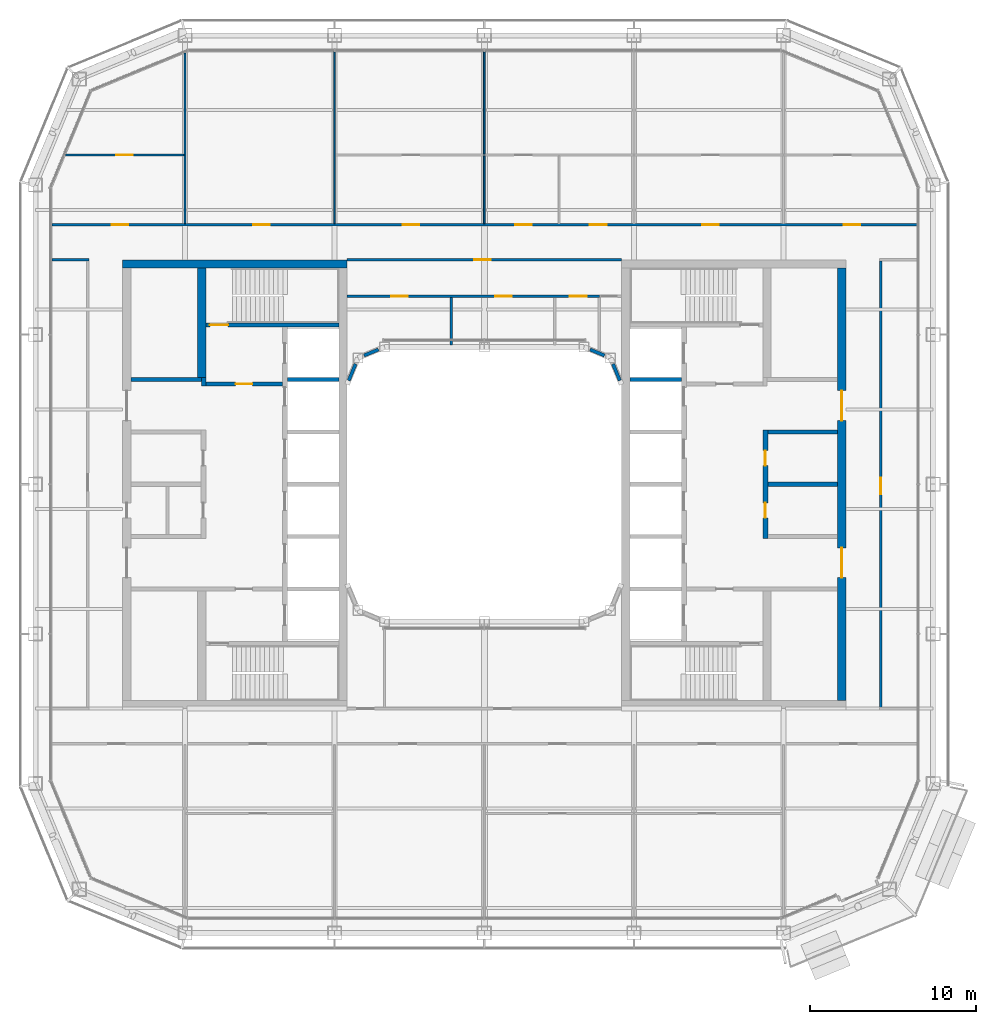
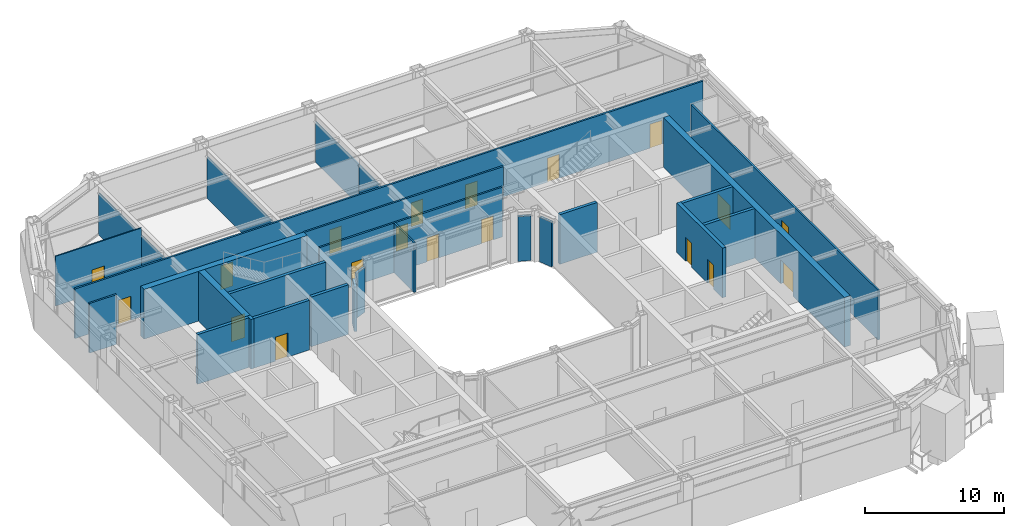
# One storey, part 14 of 22: 27 walls, 19 doors, 19 openings.
"""IFC4 building model written with IfcOpenShell, lengths in metres."""

import ifcopenshell
import ifcopenshell.guid

model = None  # the IFC model being written
_history = None  # IfcOwnerHistory: only IFC2X3 demands one
_inside = {}  # id of a spatial element -> (the spatial element, [elements in it])
_under = {}  # id of a project, library or spatial element -> (it, [spatial elements below it])
_declared = {}  # id of a project -> (the project, [libraries it declares])
_typed = {}  # id of a type object -> (the type object, [elements of that type])
_made_of = {}  # id of a material, layer set ... -> (it, [elements and type objects made of it])


def new_model(schema):
    """Start an empty IFC model of exactly this schema.

    Asked for "IFC4X3", IfcOpenShell would pick the latest addendum, in which some entities
    have other attributes; the version numbers below select the first issue.
    IFC2X3 requires an IfcOwnerHistory on every rooted entity: one is made here for all.
    """
    global model, _history
    if schema == "IFC4X3":
        model = ifcopenshell.file(schema_version=(4, 3, 0, 0))
    else:
        model = ifcopenshell.file(schema=schema)
    _inside.clear()
    _under.clear()
    _declared.clear()
    _typed.clear()
    _made_of.clear()
    _history = None
    if model.schema == "IFC2X3":
        org = make("IfcOrganization", Name="unknown")
        user = make(
            "IfcPersonAndOrganization",
            ThePerson=make("IfcPerson", FamilyName="unknown"),
            TheOrganization=org,
        )
        app = make(
            "IfcApplication",
            ApplicationDeveloper=org,
            Version="unknown",
            ApplicationFullName="unknown",
            ApplicationIdentifier="unknown",
        )
        _history = make(
            "IfcOwnerHistory",
            OwningUser=user,
            OwningApplication=app,
            ChangeAction="ADDED",
            CreationDate=0,
        )
    return model


def make(cls, **values):
    """One entity of the class cls with the attributes given. An attribute that is None is left unset."""
    return model.create_entity(
        cls, **{name: value for name, value in values.items() if value is not None}
    )


def rooted(cls, **values):
    """An entity with a GlobalId (a new one), such as an element, a storey or a relation."""
    return make(cls, GlobalId=ifcopenshell.guid.new(), OwnerHistory=_history, **values)


def si_unit(unit_type, name, prefix=None):
    """IfcSIUnit, for example si_unit("LENGTHUNIT", "METRE", prefix="MILLI")."""
    return make("IfcSIUnit", UnitType=unit_type, Prefix=prefix, Name=name)


def assignment(units):
    """IfcUnitAssignment: the units of a project."""
    return None if units is None else make("IfcUnitAssignment", Units=units)


def point(xyz):
    """IfcCartesianPoint."""
    return None if xyz is None else make("IfcCartesianPoint", Coordinates=xyz)


def direction(xyz):
    """IfcDirection."""
    return None if xyz is None else make("IfcDirection", DirectionRatios=xyz)


def frame(location, z_axis=None, x_axis=None):
    """IfcAxis2Placement3D, a coordinate frame: its origin and axes. An axis left out is left unset."""
    return make(
        "IfcAxis2Placement3D",
        Location=point(location),
        Axis=direction(z_axis),
        RefDirection=direction(x_axis),
    )


def frame_2d(location, x_axis=None):
    """IfcAxis2Placement2D, a coordinate frame in the plane: its origin and x axis."""
    return make(
        "IfcAxis2Placement2D", Location=point(location), RefDirection=direction(x_axis)
    )


def origin():
    """The frame at (0, 0, 0) with its axes left unset."""
    return frame((0.0, 0.0, 0.0))


def place(relative_to, where):
    """IfcLocalPlacement: puts the frame where relative to a parent placement (None: the world)."""
    return make(
        "IfcLocalPlacement", PlacementRelTo=relative_to, RelativePlacement=where
    )


def context(
    kind, dimensions, precision=None, world=None, true_north=None, identifier=None
):
    """IfcGeometricRepresentationContext, for example the 3D "Model" context."""
    return make(
        "IfcGeometricRepresentationContext",
        ContextIdentifier=identifier,
        ContextType=kind,
        CoordinateSpaceDimension=dimensions,
        Precision=precision,
        WorldCoordinateSystem=world,
        TrueNorth=true_north,
    )


def subcontext(parent, identifier, kind, view, scale=None):
    """IfcGeometricRepresentationSubContext, for example "Body" below "Model"."""
    return make(
        "IfcGeometricRepresentationSubContext",
        ContextIdentifier=identifier,
        ContextType=kind,
        ParentContext=parent,
        TargetScale=scale,
        TargetView=view,
    )


def project(units=None, contexts=None):
    """IfcProject with its units and contexts."""
    return rooted(
        "IfcProject",
        Name="project",
        RepresentationContexts=contexts,
        UnitsInContext=assignment(units),
    )


def spatial(cls, under=None, at=None, **own):
    """A site, building, storey or space (cls), placed at a placement, below another one or the project."""
    s = rooted(cls, ObjectPlacement=at, **own)
    if under is not None:
        _under.setdefault(under.id(), (under, []))[1].append(s)
    return s


def profile(cls, at=None, kind="AREA", **sizes):
    """A parametric profile (cls). Its sizes go by their IFC names, for example OverallWidth=200.0."""
    return make(cls, ProfileType=kind, Position=at, **sizes)


def rectangle(**sizes):
    """IfcRectangleProfileDef."""
    return profile("IfcRectangleProfileDef", **sizes)


def extrude(swept, where, along, depth):
    """IfcExtrudedAreaSolid: the profile swept, set in the frame where, extruded along a direction by depth."""
    return make(
        "IfcExtrudedAreaSolid",
        SweptArea=swept,
        Position=where,
        ExtrudedDirection=direction(along),
        Depth=depth,
    )


def shape(context_of_items, identifier, shape_type, items):
    """IfcShapeRepresentation: the items that make up one representation, for example the "Body"."""
    return make(
        "IfcShapeRepresentation",
        ContextOfItems=context_of_items,
        RepresentationIdentifier=identifier,
        RepresentationType=shape_type,
        Items=items,
    )


def material(Name=None, Category=None):
    """IfcMaterial."""
    return make("IfcMaterial", Name=Name, Category=Category)


def layer(
    of_material, thickness, ventilated=None, Name=None, Category=None, Priority=None
):
    """IfcMaterialLayer: one layer of a wall or slab, of a material (None: an air gap)."""
    return make(
        "IfcMaterialLayer",
        Material=of_material,
        LayerThickness=thickness,
        IsVentilated=ventilated,
        Name=Name,
        Category=Category,
        Priority=Priority,
    )


def layer_set(layers, Name=None):
    """IfcMaterialLayerSet."""
    return make("IfcMaterialLayerSet", MaterialLayers=layers, LayerSetName=Name)


def made_of(thing, what):
    """Note that an element or type object is made of a material, layer set ...; save() writes the relation."""
    if what is not None:
        _made_of.setdefault(what.id(), (what, []))[1].append(thing)
    return thing


def type_object(cls, material=None, **own):
    """A type object (cls), such as IfcWallType, which elements share."""
    return made_of(rooted(cls, **own), material)


def element(
    cls,
    number,
    at=None,
    inside=None,
    cuts=None,
    type_object=None,
    material=None,
    context=None,
    identifier="Body",
    shape_type=None,
    held_by="IfcProductDefinitionShape",
    body=None,
    shapes=None,
    **own,
):
    """One element of the class cls, such as IfcWall. Its Tag is "e" and its number.

    at: its placement. inside: the storey or other place that contains it. cuts: it is an
    opening in that element (IfcRelVoidsElement). A single representation is given by context,
    identifier, shape_type and body (its items); several are given by shapes. held_by: the class
    of the entity that holds the representations. save() writes the other relations.
    """
    e = rooted(cls, Tag="e%d" % number, ObjectPlacement=at, **own)
    if body is not None:
        shapes = [shape(context, identifier, shape_type, body)]
    if shapes is not None:
        e.Representation = make(held_by, Representations=shapes)
    if inside is not None:
        _inside.setdefault(inside.id(), (inside, []))[1].append(e)
    if cuts is not None:
        rooted(
            "IfcRelVoidsElement", RelatingBuildingElement=cuts, RelatedOpeningElement=e
        )
    if type_object is not None:
        _typed.setdefault(type_object.id(), (type_object, []))[1].append(e)
    return made_of(e, material)


def fill(opening, filler):
    """IfcRelFillsElement: the door or window that sits in an opening."""
    return rooted(
        "IfcRelFillsElement",
        RelatingOpeningElement=opening,
        RelatedBuildingElement=filler,
    )


def aggregate(whole, parts):
    """IfcRelAggregates: a whole, such as a stair, and the parts it consists of."""
    return rooted("IfcRelAggregates", RelatingObject=whole, RelatedObjects=parts)


def save(model, path):
    """Write the relations noted so far, then the file.

    IfcRelAggregates (storeys below a building ...), IfcRelContainedInSpatialStructure (elements
    in a storey), IfcRelDefinesByType, IfcRelAssociatesMaterial and IfcRelDeclares: one each for
    every whole, place, type object, material and project.
    """
    for whole, parts in _under.values():
        aggregate(whole, parts)
    for where, things in _inside.values():
        rooted(
            "IfcRelContainedInSpatialStructure",
            RelatedElements=things,
            RelatingStructure=where,
        )
    for kind, things in _typed.values():
        rooted("IfcRelDefinesByType", RelatedObjects=things, RelatingType=kind)
    for what, things in _made_of.values():
        rooted("IfcRelAssociatesMaterial", RelatedObjects=things, RelatingMaterial=what)
    for by, libraries in _declared.values():
        rooted("IfcRelDeclares", RelatingContext=by, RelatedDefinitions=libraries)
    model.write(path)


model = new_model("IFC4")

# Units and contexts
model_context = context("Model", 3, precision=1e-05, world=origin(), true_north=direction((0.0, 1.0)))
body_context = subcontext(model_context, "Body", "Model", "MODEL_VIEW")
ifc_project = project(units=[si_unit("LENGTHUNIT", "METRE"), si_unit("AREAUNIT", "SQUARE_METRE"), si_unit("VOLUMEUNIT", "CUBIC_METRE"), si_unit("PLANEANGLEUNIT", "RADIAN"), si_unit("MASSUNIT", "GRAM", prefix="KILO")], contexts=[model_context])

# Site, building, storey
site_placement = place(None, origin())
site = spatial("IfcSite", under=ifc_project, at=site_placement, CompositionType="ELEMENT")
building_placement = place(site_placement, origin())
building = spatial("IfcBuilding", under=site, at=building_placement, Name="Siwar Civic Tower", CompositionType="ELEMENT")
storey_placement = place(building_placement, frame((0.0, 0.0, 201.699951171875)))
storey = spatial("IfcBuildingStorey", under=building, at=storey_placement, Name="L43", CompositionType="ELEMENT", Elevation=201.699951171875)

# Wall, opening, door
ifc_material_1 = material(Name="Concrete C60/75", Category="concrete")
ifc_layer_1 = layer(ifc_material_1, 0.25)
ifc_layer_set_1 = layer_set([ifc_layer_1], Name="Concrete C60/75")
wall_type_1 = type_object("IfcWallType", Name="CORE-WALL-RC250", PredefinedType="SHEAR", material=ifc_layer_set_1)
wall_1_placement = place(storey_placement, frame((-12.14990234375, 6.02490234375, 0.0), z_axis=(0.0, 0.0, 1.0), x_axis=(-1.0, 0.0, 0.0)))
wall_1 = element("IfcWall", 1, at=wall_1_placement, inside=storey, type_object=wall_type_1, Name="Core wall W", PredefinedType="SHEAR", context=body_context, shape_type="SweptSolid", body=[
    extrude(rectangle(XDim=4.60009765625, YDim=0.25, at=frame_2d((2.300048828125, 0.0))), origin(), (0.0, 0.0, 1.0), 4.35009765625),
])
opening_1_placement = place(wall_1_placement, frame((1.800048828125, 0.0, 0.0)))
opening_1 = element("IfcOpeningElement", 2, at=opening_1_placement, cuts=wall_1, Name="Opening L43-CW01", PredefinedType="OPENING", context=body_context, shape_type="SweptSolid", body=[
    extrude(rectangle(XDim=1.0, YDim=2.10009765625, at=frame_2d((0.5, 1.050048828125))), frame((0.0, 0.135009765625, 0.0), z_axis=(0.0, -1.0, 0.0), x_axis=(1.0, 0.0, 0.0)), (0.0, 0.0, 1.0), 0.27001953125),
])
ifc_material_2 = material(Name="Steel door leaf", Category="steel")
door_type_1 = type_object("IfcDoorType", Name="CORE-DOOR-FD30S", OperationType="SINGLE_SWING_LEFT", PredefinedType="DOOR", material=ifc_material_2)
door_1_placement = place(opening_1_placement, origin())
door_1 = element("IfcDoor", 3, at=door_1_placement, inside=storey, type_object=door_type_1, Name="Firefighting lobby door L43-CW01", OperationType="SINGLE_SWING_LEFT", OverallHeight=2.10009765625, OverallWidth=1.0, PredefinedType="DOOR", context=body_context, shape_type="SweptSolid", body=[
    extrude(rectangle(XDim=1.0, YDim=2.10009765625, at=frame_2d((0.5, 1.050048828125))), frame((0.0, 0.02490234375, 0.0), z_axis=(0.0, -1.0, 0.0), x_axis=(1.0, 0.0, 0.0)), (0.0, 0.0, 1.0), 0.050048828125),
])
fill(opening_1, door_1)

# Walls
wall_2_placement = place(storey_placement, frame((-16.875, 5.89990234375, 0.0), z_axis=(0.0, 0.0, 1.0), x_axis=(0.0, 1.0, 0.0)))
element("IfcWall", 4, at=wall_2_placement, inside=storey, type_object=wall_type_1, Name="Core wall W", PredefinedType="SHEAR", context=body_context, shape_type="SweptSolid", body=[
    extrude(rectangle(XDim=0.525146484375, YDim=0.25, at=frame_2d((0.2626953125, 0.0))), origin(), (0.0, 0.0, 1.0), 4.35009765625),
])
wall_3_placement = place(storey_placement, frame((-17.0, 6.300048828125, 0.0), z_axis=(0.0, 0.0, 1.0), x_axis=(-1.0, 0.0, 0.0)))
element("IfcWall", 5, at=wall_3_placement, inside=storey, type_object=wall_type_1, Name="Core wall W", PredefinedType="SHEAR", context=body_context, shape_type="SweptSolid", body=[
    extrude(rectangle(XDim=4.25, YDim=0.25, at=frame_2d((2.125, 0.0))), origin(), (0.0, 0.0, 1.0), 4.35009765625),
])
wall_4_placement = place(storey_placement, frame((-8.75, 6.300048828125, 0.0), z_axis=(0.0, 0.0, 1.0), x_axis=(-1.0, 0.0, 0.0)))
element("IfcWall", 6, at=wall_4_placement, inside=storey, type_object=wall_type_1, Name="Core wall W", PredefinedType="SHEAR", context=body_context, shape_type="SweptSolid", body=[
    extrude(rectangle(XDim=3.10009765625, YDim=0.25, at=frame_2d((1.550048828125, 0.0))), origin(), (0.0, 0.0, 1.0), 4.35009765625),
])

# Wall, opening, door
wall_5_placement = place(storey_placement, frame((-8.75, 9.574951171875, 0.0), z_axis=(0.0, 0.0, 1.0), x_axis=(-1.0, 0.0, 0.0)))
wall_5 = element("IfcWall", 7, at=wall_5_placement, inside=storey, type_object=wall_type_1, Name="Core wall W", PredefinedType="SHEAR", context=body_context, shape_type="SweptSolid", body=[
    extrude(rectangle(XDim=8.0, YDim=0.25, at=frame_2d((4.0, 0.0))), origin(), (0.0, 0.0, 1.0), 4.35009765625),
])
opening_2_placement = place(wall_5_placement, frame((6.64990234375, 0.0, 0.0)))
opening_2 = element("IfcOpeningElement", 8, at=opening_2_placement, cuts=wall_5, Name="Opening L43-CW03", PredefinedType="OPENING", context=body_context, shape_type="SweptSolid", body=[
    extrude(rectangle(XDim=1.10009765625, YDim=2.10009765625, at=frame_2d((0.550048828125, 1.050048828125))), frame((0.0, 0.135009765625, 0.0), z_axis=(0.0, -1.0, 0.0), x_axis=(1.0, 0.0, 0.0)), (0.0, 0.0, 1.0), 0.27001953125),
])
ifc_material_3 = material(Name="Steel door leaf", Category="steel")
door_type_2 = type_object("IfcDoorType", Name="CORE-DOOR-FD60S", OperationType="SINGLE_SWING_LEFT", PredefinedType="DOOR", material=ifc_material_3)
door_2_placement = place(opening_2_placement, origin())
door_2 = element("IfcDoor", 9, at=door_2_placement, inside=storey, type_object=door_type_2, Name="Stair door L43-CW03", OperationType="SINGLE_SWING_RIGHT", OverallHeight=2.10009765625, OverallWidth=1.10009765625, PredefinedType="DOOR", context=body_context, shape_type="SweptSolid", body=[
    extrude(rectangle(XDim=1.10009765625, YDim=2.10009765625, at=frame_2d((0.550048828125, 1.050048828125))), frame((0.0, 0.02490234375, 0.0), z_axis=(0.0, -1.0, 0.0), x_axis=(1.0, 0.0, 0.0)), (0.0, 0.0, 1.0), 0.050048828125),
])
fill(opening_2, door_2)

# Walls
for number, where, z_axis, x_axis, name in (
    (10, (17.050048828125, 0.0, 0.0), (0.0, 0.0, 1.0), (1.0, 0.0, 0.0), "Core wall E"),
    (11, (17.050048828125, 3.14990234375, 0.0), (0.0, 0.0, 1.0), (1.0, 0.0, 0.0), "Core wall E"),
):
    element("IfcWall", number, at=place(storey_placement, frame(where, z_axis=z_axis, x_axis=x_axis)), inside=storey, type_object=wall_type_1, Name=name, PredefinedType="SHEAR", context=body_context, shape_type="SweptSolid", body=[
        extrude(rectangle(XDim=4.199951171875, YDim=0.25, at=frame_2d((2.10009765625, 0.0))), origin(), (0.0, 0.0, 1.0), 4.35009765625),
    ])
wall_6_placement = place(storey_placement, frame((8.75, 6.300048828125, 0.0), z_axis=(0.0, 0.0, 1.0), x_axis=(1.0, 0.0, 0.0)))
element("IfcWall", 12, at=wall_6_placement, inside=storey, type_object=wall_type_1, Name="Core wall E", PredefinedType="SHEAR", context=body_context, shape_type="SweptSolid", body=[
    extrude(rectangle(XDim=3.10009765625, YDim=0.25, at=frame_2d((1.550048828125, 0.0))), origin(), (0.0, 0.0, 1.0), 4.35009765625),
])

# Wall, openings, doors
ifc_material_4 = material(Name="Concrete C60/75", Category="concrete")
ifc_layer_2 = layer(ifc_material_4, 0.300048828125)
ifc_layer_set_2 = layer_set([ifc_layer_2], Name="Concrete C60/75")
wall_type_2 = type_object("IfcWallType", Name="CORE-WALL-RC300", PredefinedType="SHEAR", material=ifc_layer_set_2)
wall_7_placement = place(storey_placement, frame((16.89990234375, -3.27490234375, 0.0), z_axis=(0.0, 0.0, 1.0), x_axis=(0.0, 1.0, 0.0)))
wall_7 = element("IfcWall", 13, at=wall_7_placement, inside=storey, type_object=wall_type_2, Name="Core wall E", PredefinedType="SHEAR", context=body_context, shape_type="SweptSolid", body=[
    extrude(rectangle(XDim=6.5498046875, YDim=0.300048828125, at=frame_2d((3.27490234375, 0.0))), origin(), (0.0, 0.0, 1.0), 4.35009765625),
])
opening_3_placement = place(wall_7_placement, frame((1.25, 0.0, 0.0)))
opening_3 = element("IfcOpeningElement", 14, at=opening_3_placement, cuts=wall_7, Name="Opening L43-CE13", PredefinedType="OPENING", context=body_context, shape_type="SweptSolid", body=[
    extrude(rectangle(XDim=0.89990234375, YDim=2.10009765625, at=frame_2d((0.449951171875, 1.050048828125))), frame((0.0, 0.16015625, 0.0), z_axis=(0.0, -1.0, 0.0), x_axis=(1.0, 0.0, 0.0)), (0.0, 0.0, 1.0), 0.320068359375),
])
opening_4_placement = place(wall_7_placement, frame((4.39990234375, 0.0, 0.0)))
opening_4 = element("IfcOpeningElement", 15, at=opening_4_placement, cuts=wall_7, Name="Opening L43-CE14", PredefinedType="OPENING", context=body_context, shape_type="SweptSolid", body=[
    extrude(rectangle(XDim=0.89990234375, YDim=2.10009765625, at=frame_2d((0.449951171875, 1.050048828125))), frame((0.0, 0.16015625, 0.0), z_axis=(0.0, -1.0, 0.0), x_axis=(1.0, 0.0, 0.0)), (0.0, 0.0, 1.0), 0.320068359375),
])
ifc_material_5 = material(Name="Steel door leaf", Category="steel")
door_type_3 = type_object("IfcDoorType", Name="CORE-DOOR-ROOM", OperationType="SINGLE_SWING_LEFT", PredefinedType="DOOR", material=ifc_material_5)
door_3_placement = place(opening_3_placement, origin())
door_3 = element("IfcDoor", 16, at=door_3_placement, inside=storey, type_object=door_type_3, Name="Core room door L43-CE13", OperationType="SINGLE_SWING_RIGHT", OverallHeight=2.10009765625, OverallWidth=0.89990234375, PredefinedType="DOOR", context=body_context, shape_type="SweptSolid", body=[
    extrude(rectangle(XDim=0.89990234375, YDim=2.10009765625, at=frame_2d((0.449951171875, 1.050048828125))), frame((0.0, 0.02490234375, 0.0), z_axis=(0.0, -1.0, 0.0), x_axis=(1.0, 0.0, 0.0)), (0.0, 0.0, 1.0), 0.050048828125),
])
fill(opening_3, door_3)
door_4_placement = place(opening_4_placement, origin())
door_4 = element("IfcDoor", 17, at=door_4_placement, inside=storey, type_object=door_type_3, Name="Core room door L43-CE14", OperationType="SINGLE_SWING_LEFT", OverallHeight=2.10009765625, OverallWidth=0.89990234375, PredefinedType="DOOR", context=body_context, shape_type="SweptSolid", body=[
    extrude(rectangle(XDim=0.89990234375, YDim=2.10009765625, at=frame_2d((0.449951171875, 1.050048828125))), frame((0.0, 0.02490234375, 0.0), z_axis=(0.0, -1.0, 0.0), x_axis=(1.0, 0.0, 0.0)), (0.0, 0.0, 1.0), 0.050048828125),
])
fill(opening_4, door_4)

# Walls
ifc_material_6 = material(Name="Concrete C60/75", Category="concrete")
ifc_layer_3 = layer(ifc_material_6, 0.5)
ifc_layer_set_3 = layer_set([ifc_layer_3], Name="Concrete C60/75")
wall_type_3 = type_object("IfcWallType", Name="CORE-WALL-RC500", PredefinedType="SHEAR", material=ifc_layer_set_3)
wall_8_placement = place(storey_placement, frame((-17.0, 6.425048828125, 0.0), z_axis=(0.0, 0.0, 1.0), x_axis=(0.0, 1.0, 0.0)))
element("IfcWall", 18, at=wall_8_placement, inside=storey, type_object=wall_type_3, Name="Core wall W", PredefinedType="SHEAR", context=body_context, shape_type="SweptSolid", body=[
    extrude(rectangle(XDim=6.574951171875, YDim=0.5, at=frame_2d((3.28759765625, 0.0))), origin(), (0.0, 0.0, 1.0), 4.35009765625),
])
wall_9_placement = place(storey_placement, frame((-8.25, 13.25, 0.0), z_axis=(0.0, 0.0, 1.0), x_axis=(-1.0, 0.0, 0.0)))
element("IfcWall", 19, at=wall_9_placement, inside=storey, type_object=wall_type_3, Name="Core wall W", PredefinedType="SHEAR", context=body_context, shape_type="SweptSolid", body=[
    extrude(rectangle(XDim=13.5, YDim=0.5, at=frame_2d((6.75, 0.0))), origin(), (0.0, 0.0, 1.0), 4.35009765625),
])

# Wall, openings, doors
wall_10_placement = place(storey_placement, frame((21.5, -13.0, 0.0), z_axis=(0.0, 0.0, 1.0), x_axis=(0.0, 1.0, 0.0)))
wall_10 = element("IfcWall", 20, at=wall_10_placement, inside=storey, type_object=wall_type_3, Name="Core wall E", PredefinedType="SHEAR", context=body_context, shape_type="SweptSolid", body=[
    extrude(rectangle(XDim=26.0, YDim=0.5, at=frame_2d((13.0, 0.0))), origin(), (0.0, 0.0, 1.0), 4.35009765625),
])
opening_5_placement = place(wall_10_placement, frame((16.824951171875, 0.0, 0.0)))
opening_5 = element("IfcOpeningElement", 21, at=opening_5_placement, cuts=wall_10, Name="Opening L43-CE05", PredefinedType="OPENING", context=body_context, shape_type="SweptSolid", body=[
    extrude(rectangle(XDim=1.800048828125, YDim=2.10009765625, at=frame_2d((0.89990234375, 1.050048828125))), frame((0.0, 0.260009765625, 0.0), z_axis=(0.0, -1.0, 0.0), x_axis=(1.0, 0.0, 0.0)), (0.0, 0.0, 1.0), 0.52001953125),
])
opening_6_placement = place(wall_10_placement, frame((7.375, 0.0, 0.0)))
opening_6 = element("IfcOpeningElement", 22, at=opening_6_placement, cuts=wall_10, Name="Opening L43-CE06", PredefinedType="OPENING", context=body_context, shape_type="SweptSolid", body=[
    extrude(rectangle(XDim=1.800048828125, YDim=2.10009765625, at=frame_2d((0.89990234375, 1.050048828125))), frame((0.0, 0.260009765625, 0.0), z_axis=(0.0, -1.0, 0.0), x_axis=(1.0, 0.0, 0.0)), (0.0, 0.0, 1.0), 0.52001953125),
])
ifc_material_7 = material(Name="Steel door leaf", Category="steel")
door_type_4 = type_object("IfcDoorType", Name="CORE-DOOR-PORT", OperationType="DOUBLE_DOOR_DOUBLE_SWING", PredefinedType="DOOR", material=ifc_material_7)
door_5_placement = place(opening_5_placement, origin())
door_5 = element("IfcDoor", 23, at=door_5_placement, inside=storey, type_object=door_type_4, Name="Core entrance door L43-CE05", OperationType="DOUBLE_DOOR_DOUBLE_SWING", OverallHeight=2.10009765625, OverallWidth=1.800048828125, PredefinedType="DOOR", context=body_context, shape_type="SweptSolid", body=[
    extrude(rectangle(XDim=1.800048828125, YDim=2.10009765625, at=frame_2d((0.89990234375, 1.050048828125))), frame((0.0, 0.02490234375, 0.0), z_axis=(0.0, -1.0, 0.0), x_axis=(1.0, 0.0, 0.0)), (0.0, 0.0, 1.0), 0.050048828125),
])
fill(opening_5, door_5)
door_6_placement = place(opening_6_placement, origin())
door_6 = element("IfcDoor", 24, at=door_6_placement, inside=storey, type_object=door_type_4, Name="Core entrance door L43-CE06", OperationType="DOUBLE_DOOR_DOUBLE_SWING", OverallHeight=2.10009765625, OverallWidth=1.800048828125, PredefinedType="DOOR", context=body_context, shape_type="SweptSolid", body=[
    extrude(rectangle(XDim=1.800048828125, YDim=2.10009765625, at=frame_2d((0.89990234375, 1.050048828125))), frame((0.0, 0.02490234375, 0.0), z_axis=(0.0, -1.0, 0.0), x_axis=(1.0, 0.0, 0.0)), (0.0, 0.0, 1.0), 0.050048828125),
])
fill(opening_6, door_6)

ifc_material_8 = material(Name="Gypsum board on steel studs", Category="steel")
ifc_layer_4 = layer(ifc_material_8, 0.14990234375)
ifc_layer_set_4 = layer_set([ifc_layer_4], Name="Gypsum board on steel studs")
wall_type_4 = type_object("IfcWallType", Name="CORRIDOR PARTITION 150 EI 30", PredefinedType="PARTITIONING", material=ifc_layer_set_4)
wall_11_placement = place(storey_placement, frame((-8.25, 11.300048828125, 0.0), z_axis=(0.0, 0.0, 1.0), x_axis=(1.0, 0.0, 0.0)))
wall_11 = element("IfcWall", 25, at=wall_11_placement, inside=storey, type_object=wall_type_4, Name="L43/wall/P07", PredefinedType="PARTITIONING", context=body_context, shape_type="SweptSolid", body=[
    extrude(rectangle(XDim=15.169921875, YDim=0.14990234375, at=frame_2d((7.5849609375, 0.0))), origin(), (0.0, 0.0, 1.0), 4.35009765625),
])
opening_7_placement = place(wall_11_placement, frame((2.64990234375, 0.0, 0.0)))
opening_7 = element("IfcOpeningElement", 26, at=opening_7_placement, cuts=wall_11, Name="Opening D3", PredefinedType="OPENING", context=body_context, shape_type="SweptSolid", body=[
    extrude(rectangle(XDim=1.0, YDim=2.10009765625, at=frame_2d((0.5, 1.050048828125))), frame((0.0, 0.0849609375, 0.0), z_axis=(0.0, -1.0, 0.0), x_axis=(1.0, 0.0, 0.0)), (0.0, 0.0, 1.0), 0.169921875),
])
opening_8_placement = place(wall_11_placement, frame((8.89990234375, 0.0, 0.0)))
opening_8 = element("IfcOpeningElement", 27, at=opening_8_placement, cuts=wall_11, Name="Opening D3", PredefinedType="OPENING", context=body_context, shape_type="SweptSolid", body=[
    extrude(rectangle(XDim=1.0, YDim=2.10009765625, at=frame_2d((0.5, 1.050048828125))), frame((0.0, 0.0849609375, 0.0), z_axis=(0.0, -1.0, 0.0), x_axis=(1.0, 0.0, 0.0)), (0.0, 0.0, 1.0), 0.169921875),
])
opening_9_placement = place(wall_11_placement, frame((13.39990234375, 0.0, 0.0)))
opening_9 = element("IfcOpeningElement", 28, at=opening_9_placement, cuts=wall_11, Name="Opening D3", PredefinedType="OPENING", context=body_context, shape_type="SweptSolid", body=[
    extrude(rectangle(XDim=1.0, YDim=2.10009765625, at=frame_2d((0.5, 1.050048828125))), frame((0.0, 0.0849609375, 0.0), z_axis=(0.0, -1.0, 0.0), x_axis=(1.0, 0.0, 0.0)), (0.0, 0.0, 1.0), 0.169921875),
])
ifc_material_9 = material(Name="Timber, painted", Category="wood")
door_type_5 = type_object("IfcDoorType", Name="DOOR 1000 X 2100 WC", OperationType="SINGLE_SWING_LEFT", PredefinedType="DOOR", material=ifc_material_9)
door_7_placement = place(opening_7_placement, origin())
door_7 = element("IfcDoor", 29, at=door_7_placement, inside=storey, type_object=door_type_5, Name="L43-D25", OperationType="SINGLE_SWING_LEFT", OverallHeight=2.10009765625, OverallWidth=1.0, PredefinedType="DOOR", context=body_context, shape_type="SweptSolid", body=[
    extrude(rectangle(XDim=1.0, YDim=2.10009765625, at=frame_2d((0.5, 1.050048828125))), frame((0.0, 0.02490234375, 0.0), z_axis=(0.0, -1.0, 0.0), x_axis=(1.0, 0.0, 0.0)), (0.0, 0.0, 1.0), 0.050048828125),
])
fill(opening_7, door_7)
door_8_placement = place(opening_8_placement, origin())
door_8 = element("IfcDoor", 30, at=door_8_placement, inside=storey, type_object=door_type_5, Name="L43-D26", OperationType="SINGLE_SWING_RIGHT", OverallHeight=2.10009765625, OverallWidth=1.0, PredefinedType="DOOR", context=body_context, shape_type="SweptSolid", body=[
    extrude(rectangle(XDim=1.0, YDim=2.10009765625, at=frame_2d((0.5, 1.050048828125))), frame((0.0, 0.02490234375, 0.0), z_axis=(0.0, -1.0, 0.0), x_axis=(1.0, 0.0, 0.0)), (0.0, 0.0, 1.0), 0.050048828125),
])
fill(opening_8, door_8)
door_9_placement = place(opening_9_placement, origin())
door_9 = element("IfcDoor", 31, at=door_9_placement, inside=storey, type_object=door_type_5, Name="L43-D27", OperationType="SINGLE_SWING_LEFT", OverallHeight=2.10009765625, OverallWidth=1.0, PredefinedType="DOOR", context=body_context, shape_type="SweptSolid", body=[
    extrude(rectangle(XDim=1.0, YDim=2.10009765625, at=frame_2d((0.5, 1.050048828125))), frame((0.0, 0.02490234375, 0.0), z_axis=(0.0, -1.0, 0.0), x_axis=(1.0, 0.0, 0.0)), (0.0, 0.0, 1.0), 0.050048828125),
])
fill(opening_9, door_9)

# Wall
wall_12_placement = place(storey_placement, frame((-26.010009765625, 13.5, 0.0), z_axis=(0.0, 0.0, 1.0), x_axis=(1.0, 0.0, 0.0)))
element("IfcWall", 32, at=wall_12_placement, inside=storey, type_object=wall_type_4, Name="L43/wall/P09", PredefinedType="PARTITIONING", context=body_context, shape_type="SweptSolid", body=[
    extrude(rectangle(XDim=2.235107421875, YDim=0.14990234375, at=frame_2d((1.11767578125, 0.0))), origin(), (0.0, 0.0, 1.0), 4.35009765625),
])

# Wall, opening, door
wall_13_placement = place(storey_placement, frame((-8.25, 13.5, 0.0), z_axis=(0.0, 0.0, 1.0), x_axis=(1.0, 0.0, 0.0)))
wall_13 = element("IfcWall", 33, at=wall_13_placement, inside=storey, type_object=wall_type_4, Name="L43/wall/P10", PredefinedType="PARTITIONING", context=body_context, shape_type="SweptSolid", body=[
    extrude(rectangle(XDim=16.5, YDim=0.14990234375, at=frame_2d((8.25, 0.0))), origin(), (0.0, 0.0, 1.0), 4.35009765625),
])
opening_10_placement = place(wall_13_placement, frame((7.64990234375, 0.0, 0.0)))
opening_10 = element("IfcOpeningElement", 34, at=opening_10_placement, cuts=wall_13, Name="Opening D1", PredefinedType="OPENING", context=body_context, shape_type="SweptSolid", body=[
    extrude(rectangle(XDim=1.0, YDim=2.10009765625, at=frame_2d((0.5, 1.050048828125))), frame((0.0, 0.0849609375, 0.0), z_axis=(0.0, -1.0, 0.0), x_axis=(1.0, 0.0, 0.0)), (0.0, 0.0, 1.0), 0.169921875),
])
ifc_material_10 = material(Name="Timber, painted", Category="wood")
door_type_6 = type_object("IfcDoorType", Name="DOOR 1000 X 2100 FD30", OperationType="SINGLE_SWING_LEFT", PredefinedType="DOOR", material=ifc_material_10)
door_10_placement = place(opening_10_placement, origin())
door_10 = element("IfcDoor", 35, at=door_10_placement, inside=storey, type_object=door_type_6, Name="L43-D24", OperationType="SINGLE_SWING_RIGHT", OverallHeight=2.10009765625, OverallWidth=1.0, PredefinedType="DOOR", context=body_context, shape_type="SweptSolid", body=[
    extrude(rectangle(XDim=1.0, YDim=2.10009765625, at=frame_2d((0.5, 1.050048828125))), frame((0.0, 0.02490234375, 0.0), z_axis=(0.0, -1.0, 0.0), x_axis=(1.0, 0.0, 0.0)), (0.0, 0.0, 1.0), 0.050048828125),
])
fill(opening_10, door_10)

# Wall, openings, doors
wall_14_placement = place(storey_placement, frame((-26.010009765625, 15.60009765625, 0.0), z_axis=(0.0, 0.0, 1.0), x_axis=(1.0, 0.0, 0.0)))
wall_14 = element("IfcWall", 36, at=wall_14_placement, inside=storey, type_object=wall_type_4, Name="L43/wall/P12", PredefinedType="PARTITIONING", context=body_context, shape_type="SweptSolid", body=[
    extrude(rectangle(XDim=52.02001953125, YDim=0.14990234375, at=frame_2d((26.010009765625, 0.0))), origin(), (0.0, 0.0, 1.0), 4.35009765625),
])
opening_11_placement = place(wall_14_placement, frame((12.110107421875, 0.0, 0.0)))
opening_11 = element("IfcOpeningElement", 37, at=opening_11_placement, cuts=wall_14, Name="Opening D1", PredefinedType="OPENING", context=body_context, shape_type="SweptSolid", body=[
    extrude(rectangle(XDim=1.0, YDim=2.10009765625, at=frame_2d((0.5, 1.050048828125))), frame((0.0, 0.0849609375, 0.0), z_axis=(0.0, -1.0, 0.0), x_axis=(1.0, 0.0, 0.0)), (0.0, 0.0, 1.0), 0.169921875),
])
opening_12_placement = place(wall_14_placement, frame((21.110107421875, 0.0, 0.0)))
opening_12 = element("IfcOpeningElement", 38, at=opening_12_placement, cuts=wall_14, Name="Opening D1", PredefinedType="OPENING", context=body_context, shape_type="SweptSolid", body=[
    extrude(rectangle(XDim=1.0, YDim=2.10009765625, at=frame_2d((0.5, 1.050048828125))), frame((0.0, 0.0849609375, 0.0), z_axis=(0.0, -1.0, 0.0), x_axis=(1.0, 0.0, 0.0)), (0.0, 0.0, 1.0), 0.169921875),
])
opening_13_placement = place(wall_14_placement, frame((27.860107421875, 0.0, 0.0)))
opening_13 = element("IfcOpeningElement", 39, at=opening_13_placement, cuts=wall_14, Name="Opening D1", PredefinedType="OPENING", context=body_context, shape_type="SweptSolid", body=[
    extrude(rectangle(XDim=1.0, YDim=2.10009765625, at=frame_2d((0.5, 1.050048828125))), frame((0.0, 0.0849609375, 0.0), z_axis=(0.0, -1.0, 0.0), x_axis=(1.0, 0.0, 0.0)), (0.0, 0.0, 1.0), 0.169921875),
])
opening_14_placement = place(wall_14_placement, frame((32.360107421875, 0.0, 0.0)))
opening_14 = element("IfcOpeningElement", 40, at=opening_14_placement, cuts=wall_14, Name="Opening D1", PredefinedType="OPENING", context=body_context, shape_type="SweptSolid", body=[
    extrude(rectangle(XDim=1.0, YDim=2.10009765625, at=frame_2d((0.5, 1.050048828125))), frame((0.0, 0.0849609375, 0.0), z_axis=(0.0, -1.0, 0.0), x_axis=(1.0, 0.0, 0.0)), (0.0, 0.0, 1.0), 0.169921875),
])
opening_15_placement = place(wall_14_placement, frame((39.110107421875, 0.0, 0.0)))
opening_15 = element("IfcOpeningElement", 41, at=opening_15_placement, cuts=wall_14, Name="Opening D1", PredefinedType="OPENING", context=body_context, shape_type="SweptSolid", body=[
    extrude(rectangle(XDim=1.0, YDim=2.10009765625, at=frame_2d((0.5, 1.050048828125))), frame((0.0, 0.0849609375, 0.0), z_axis=(0.0, -1.0, 0.0), x_axis=(1.0, 0.0, 0.0)), (0.0, 0.0, 1.0), 0.169921875),
])
opening_16_placement = place(wall_14_placement, frame((3.610107421875, 0.0, 0.0)))
opening_16 = element("IfcOpeningElement", 42, at=opening_16_placement, cuts=wall_14, Name="Opening D1", PredefinedType="OPENING", context=body_context, shape_type="SweptSolid", body=[
    extrude(rectangle(XDim=1.0, YDim=2.10009765625, at=frame_2d((0.5, 1.050048828125))), frame((0.0, 0.0849609375, 0.0), z_axis=(0.0, -1.0, 0.0), x_axis=(1.0, 0.0, 0.0)), (0.0, 0.0, 1.0), 0.169921875),
])
opening_17_placement = place(wall_14_placement, frame((47.6201171875, 0.0, 0.0)))
opening_17 = element("IfcOpeningElement", 43, at=opening_17_placement, cuts=wall_14, Name="Opening D1", PredefinedType="OPENING", context=body_context, shape_type="SweptSolid", body=[
    extrude(rectangle(XDim=1.0, YDim=2.10009765625, at=frame_2d((0.5, 1.050048828125))), frame((0.0, 0.0849609375, 0.0), z_axis=(0.0, -1.0, 0.0), x_axis=(1.0, 0.0, 0.0)), (0.0, 0.0, 1.0), 0.169921875),
])
door_11_placement = place(opening_11_placement, origin())
door_11 = element("IfcDoor", 44, at=door_11_placement, inside=storey, type_object=door_type_6, Name="L43-D01", OperationType="SINGLE_SWING_LEFT", OverallHeight=2.10009765625, OverallWidth=1.0, PredefinedType="DOOR", context=body_context, shape_type="SweptSolid", body=[
    extrude(rectangle(XDim=1.0, YDim=2.10009765625, at=frame_2d((0.5, 1.050048828125))), frame((0.0, 0.02490234375, 0.0), z_axis=(0.0, -1.0, 0.0), x_axis=(1.0, 0.0, 0.0)), (0.0, 0.0, 1.0), 0.050048828125),
])
fill(opening_11, door_11)
door_12_placement = place(opening_12_placement, origin())
door_12 = element("IfcDoor", 45, at=door_12_placement, inside=storey, type_object=door_type_6, Name="L43-D02", OperationType="SINGLE_SWING_RIGHT", OverallHeight=2.10009765625, OverallWidth=1.0, PredefinedType="DOOR", context=body_context, shape_type="SweptSolid", body=[
    extrude(rectangle(XDim=1.0, YDim=2.10009765625, at=frame_2d((0.5, 1.050048828125))), frame((0.0, 0.02490234375, 0.0), z_axis=(0.0, -1.0, 0.0), x_axis=(1.0, 0.0, 0.0)), (0.0, 0.0, 1.0), 0.050048828125),
])
fill(opening_12, door_12)
door_13_placement = place(opening_13_placement, origin())
door_13 = element("IfcDoor", 46, at=door_13_placement, inside=storey, type_object=door_type_6, Name="L43-D04", OperationType="SINGLE_SWING_RIGHT", OverallHeight=2.10009765625, OverallWidth=1.0, PredefinedType="DOOR", context=body_context, shape_type="SweptSolid", body=[
    extrude(rectangle(XDim=1.0, YDim=2.10009765625, at=frame_2d((0.5, 1.050048828125))), frame((0.0, 0.02490234375, 0.0), z_axis=(0.0, -1.0, 0.0), x_axis=(1.0, 0.0, 0.0)), (0.0, 0.0, 1.0), 0.050048828125),
])
fill(opening_13, door_13)
door_14_placement = place(opening_14_placement, origin())
door_14 = element("IfcDoor", 47, at=door_14_placement, inside=storey, type_object=door_type_6, Name="L43-D05", OperationType="SINGLE_SWING_LEFT", OverallHeight=2.10009765625, OverallWidth=1.0, PredefinedType="DOOR", context=body_context, shape_type="SweptSolid", body=[
    extrude(rectangle(XDim=1.0, YDim=2.10009765625, at=frame_2d((0.5, 1.050048828125))), frame((0.0, 0.02490234375, 0.0), z_axis=(0.0, -1.0, 0.0), x_axis=(1.0, 0.0, 0.0)), (0.0, 0.0, 1.0), 0.050048828125),
])
fill(opening_14, door_14)
door_15_placement = place(opening_15_placement, origin())
door_15 = element("IfcDoor", 48, at=door_15_placement, inside=storey, type_object=door_type_6, Name="L43-D07", OperationType="SINGLE_SWING_LEFT", OverallHeight=2.10009765625, OverallWidth=1.0, PredefinedType="DOOR", context=body_context, shape_type="SweptSolid", body=[
    extrude(rectangle(XDim=1.0, YDim=2.10009765625, at=frame_2d((0.5, 1.050048828125))), frame((0.0, 0.02490234375, 0.0), z_axis=(0.0, -1.0, 0.0), x_axis=(1.0, 0.0, 0.0)), (0.0, 0.0, 1.0), 0.050048828125),
])
fill(opening_15, door_15)
door_16_placement = place(opening_16_placement, origin())
door_16 = element("IfcDoor", 49, at=door_16_placement, inside=storey, type_object=door_type_6, Name="L43-D16", OperationType="SINGLE_SWING_RIGHT", OverallHeight=2.10009765625, OverallWidth=1.0, PredefinedType="DOOR", context=body_context, shape_type="SweptSolid", body=[
    extrude(rectangle(XDim=1.0, YDim=2.10009765625, at=frame_2d((0.5, 1.050048828125))), frame((0.0, 0.02490234375, 0.0), z_axis=(0.0, -1.0, 0.0), x_axis=(1.0, 0.0, 0.0)), (0.0, 0.0, 1.0), 0.050048828125),
])
fill(opening_16, door_16)
door_17_placement = place(opening_17_placement, origin())
door_17 = element("IfcDoor", 50, at=door_17_placement, inside=storey, type_object=door_type_6, Name="L43-D18", OperationType="SINGLE_SWING_RIGHT", OverallHeight=2.10009765625, OverallWidth=1.0, PredefinedType="DOOR", context=body_context, shape_type="SweptSolid", body=[
    extrude(rectangle(XDim=1.0, YDim=2.10009765625, at=frame_2d((0.5, 1.050048828125))), frame((0.0, 0.02490234375, 0.0), z_axis=(0.0, -1.0, 0.0), x_axis=(1.0, 0.0, 0.0)), (0.0, 0.0, 1.0), 0.050048828125),
])
fill(opening_17, door_17)

# Wall
wall_15_placement = place(storey_placement, frame((-2.0, 8.3701171875, 0.0), z_axis=(0.0, 0.0, 1.0), x_axis=(0.0, 1.0, 0.0)))
element("IfcWall", 51, at=wall_15_placement, inside=storey, type_object=wall_type_4, Name="L43/wall/P21", PredefinedType="PARTITIONING", context=body_context, shape_type="SweptSolid", body=[
    extrude(rectangle(XDim=2.85498046875, YDim=0.14990234375, at=frame_2d((1.427490234375, 0.0))), origin(), (0.0, 0.0, 1.0), 4.35009765625),
])

# Wall, opening, door
wall_16_placement = place(storey_placement, frame((23.85009765625, -13.425048828125, 0.0), z_axis=(0.0, 0.0, 1.0), x_axis=(0.0, 1.0, 0.0)))
wall_16 = element("IfcWall", 52, at=wall_16_placement, inside=storey, type_object=wall_type_4, Name="L43/wall/P35", PredefinedType="PARTITIONING", context=body_context, shape_type="SweptSolid", body=[
    extrude(rectangle(XDim=26.85009765625, YDim=0.14990234375, at=frame_2d((13.425048828125, 0.0))), origin(), (0.0, 0.0, 1.0), 4.35009765625),
])
opening_18_placement = place(wall_16_placement, frame((12.824951171875, 0.0, 0.0)))
opening_18 = element("IfcOpeningElement", 53, at=opening_18_placement, cuts=wall_16, Name="Opening D1", PredefinedType="OPENING", context=body_context, shape_type="SweptSolid", body=[
    extrude(rectangle(XDim=1.0, YDim=2.10009765625, at=frame_2d((0.5, 1.050048828125))), frame((0.0, 0.0849609375, 0.0), z_axis=(0.0, -1.0, 0.0), x_axis=(1.0, 0.0, 0.0)), (0.0, 0.0, 1.0), 0.169921875),
])
door_18_placement = place(opening_18_placement, origin())
door_18 = element("IfcDoor", 54, at=door_18_placement, inside=storey, type_object=door_type_6, Name="L43-D23", OperationType="SINGLE_SWING_LEFT", OverallHeight=2.10009765625, OverallWidth=1.0, PredefinedType="DOOR", context=body_context, shape_type="SweptSolid", body=[
    extrude(rectangle(XDim=1.0, YDim=2.10009765625, at=frame_2d((0.5, 1.050048828125))), frame((0.0, 0.02490234375, 0.0), z_axis=(0.0, -1.0, 0.0), x_axis=(1.0, 0.0, 0.0)), (0.0, 0.0, 1.0), 0.050048828125),
])
fill(opening_18, door_18)

# Walls
ifc_material_11 = material(Name="Aluminium clad insulated panel", Category="aluminium")
ifc_layer_5 = layer(ifc_material_11, 0.199951171875)
ifc_layer_set_5 = layer_set([ifc_layer_5], Name="Aluminium clad insulated panel")
wall_type_5 = type_object("IfcWallType", Name="ENV-WALL-WELL", PredefinedType="STANDARD", material=ifc_layer_set_5)
wall_17_placement = place(storey_placement, frame((8.154296875, 6.23095703125, 0.0), z_axis=(0.0, 0.0, 1.0), x_axis=(-0.382704496366, 0.923870807235, 0.0)))
element("IfcWall", 55, at=wall_17_placement, inside=storey, type_object=wall_type_5, Name="Light well corner wall NE1", PredefinedType="STANDARD", context=body_context, shape_type="SweptSolid", body=[
    extrude(rectangle(XDim=1.080078125, YDim=0.199951171875, at=frame_2d((0.5400390625, 0.0))), origin(), (0.0, 0.0, 1.0), 3.91796875),
])
for number, where, z_axis, x_axis, name in (
    (56, (7.228759765625, 7.740966796875, 0.0), (0.0, 0.0, 1.0), (-0.923829670615, 0.382803787458, 0.0), "Light well corner wall NE2"),
    (57, (-6.362060546875, 8.10009765625, 0.0), (0.0, 0.0, 1.0), (-0.923829670615, -0.382803787458, 0.0), "Light well corner wall NW1"),
):
    element("IfcWall", number, at=place(storey_placement, frame(where, z_axis=z_axis, x_axis=x_axis)), inside=storey, type_object=wall_type_5, Name=name, PredefinedType="STANDARD", context=body_context, shape_type="SweptSolid", body=[
        extrude(rectangle(XDim=0.938232421875, YDim=0.199951171875, at=frame_2d((0.46923828125, 0.0))), origin(), (0.0, 0.0, 1.0), 3.91796875),
    ])
wall_18_placement = place(storey_placement, frame((-7.740966796875, 7.228759765625, 0.0), z_axis=(0.0, 0.0, 1.0), x_axis=(-0.382704496366, -0.923870807235, 0.0)))
element("IfcWall", 58, at=wall_18_placement, inside=storey, type_object=wall_type_5, Name="Light well corner wall NW2", PredefinedType="STANDARD", context=body_context, shape_type="SweptSolid", body=[
    extrude(rectangle(XDim=1.080078125, YDim=0.199951171875, at=frame_2d((0.5400390625, 0.0))), origin(), (0.0, 0.0, 1.0), 3.91796875),
])

# Wall, opening, door
ifc_material_12 = material(Name="Gypsum board on steel studs", Category="steel")
ifc_layer_6 = layer(ifc_material_12, 0.10009765625)
ifc_layer_set_6 = layer_set([ifc_layer_6], Name="Gypsum board on steel studs")
wall_type_6 = type_object("IfcWallType", Name="PARTITION 100 GYPSUM", PredefinedType="PARTITIONING", material=ifc_layer_set_6)
wall_19_placement = place(storey_placement, frame((-25.18310546875, 19.800048828125, 0.0), z_axis=(0.0, 0.0, 1.0), x_axis=(1.0, 0.0, 0.0)))
wall_19 = element("IfcWall", 59, at=wall_19_placement, inside=storey, type_object=wall_type_6, Name="L43/wall/P13", PredefinedType="PARTITIONING", context=body_context, shape_type="SweptSolid", body=[
    extrude(rectangle(XDim=7.133056640625, YDim=0.10009765625, at=frame_2d((3.56640625, 0.0))), origin(), (0.0, 0.0, 1.0), 4.35009765625),
])
opening_19_placement = place(wall_19_placement, frame((3.032958984375, 0.0, 0.0)))
opening_19 = element("IfcOpeningElement", 60, at=opening_19_placement, cuts=wall_19, Name="Opening D2", PredefinedType="OPENING", context=body_context, shape_type="SweptSolid", body=[
    extrude(rectangle(XDim=1.0, YDim=2.10009765625, at=frame_2d((0.5, 1.050048828125))), frame((0.0, 0.06005859375, 0.0), z_axis=(0.0, -1.0, 0.0), x_axis=(1.0, 0.0, 0.0)), (0.0, 0.0, 1.0), 0.1201171875),
])
ifc_material_13 = material(Name="Timber, painted", Category="wood")
door_type_7 = type_object("IfcDoorType", Name="DOOR 1000 X 2100", OperationType="SINGLE_SWING_LEFT", PredefinedType="DOOR", material=ifc_material_13)
door_19_placement = place(opening_19_placement, origin())
door_19 = element("IfcDoor", 61, at=door_19_placement, inside=storey, type_object=door_type_7, Name="L43-D17", OperationType="SINGLE_SWING_LEFT", OverallHeight=2.10009765625, OverallWidth=1.0, PredefinedType="DOOR", context=body_context, shape_type="SweptSolid", body=[
    extrude(rectangle(XDim=1.0, YDim=2.10009765625, at=frame_2d((0.5, 1.050048828125))), frame((0.0, 0.02490234375, 0.0), z_axis=(0.0, -1.0, 0.0), x_axis=(1.0, 0.0, 0.0)), (0.0, 0.0, 1.0), 0.050048828125),
])
fill(opening_19, door_19)

# Walls
wall_20_placement = place(storey_placement, frame((-18.0, 15.675048828125, 0.0), z_axis=(0.0, 0.0, 1.0), x_axis=(0.0, 1.0, 0.0)))
element("IfcWall", 62, at=wall_20_placement, inside=storey, type_object=wall_type_6, Name="L43/wall/P17", PredefinedType="PARTITIONING", context=body_context, shape_type="SweptSolid", body=[
    extrude(rectangle(XDim=10.2529296875, YDim=0.10009765625, at=frame_2d((5.12646484375, 0.0))), origin(), (0.0, 0.0, 1.0), 3.650146484375),
])
wall_21_placement = place(storey_placement, frame((-9.0, 15.675048828125, 0.0), z_axis=(0.0, 0.0, 1.0), x_axis=(0.0, 1.0, 0.0)))
element("IfcWall", 63, at=wall_21_placement, inside=storey, type_object=wall_type_6, Name="L43/wall/P19", PredefinedType="PARTITIONING", context=body_context, shape_type="SweptSolid", body=[
    extrude(rectangle(XDim=10.3349609375, YDim=0.10009765625, at=frame_2d((5.16748046875, 0.0))), origin(), (0.0, 0.0, 1.0), 3.650146484375),
])
wall_22_placement = place(storey_placement, frame((0.0, 15.675048828125, 0.0), z_axis=(0.0, 0.0, 1.0), x_axis=(0.0, 1.0, 0.0)))
element("IfcWall", 64, at=wall_22_placement, inside=storey, type_object=wall_type_6, Name="L43/wall/P23", PredefinedType="PARTITIONING", context=body_context, shape_type="SweptSolid", body=[
    extrude(rectangle(XDim=4.074951171875, YDim=0.10009765625, at=frame_2d((2.03759765625, 0.0))), origin(), (0.0, 0.0, 1.0), 3.550048828125),
])
wall_23_placement = place(storey_placement, frame((0.0, 19.85009765625, 0.0), z_axis=(0.0, 0.0, 1.0), x_axis=(0.0, 1.0, 0.0)))
element("IfcWall", 65, at=wall_23_placement, inside=storey, type_object=wall_type_6, Name="L43/wall/P24", PredefinedType="PARTITIONING", context=body_context, shape_type="SweptSolid", body=[
    extrude(rectangle(XDim=6.159912109375, YDim=0.10009765625, at=frame_2d((3.080078125, 0.0))), origin(), (0.0, 0.0, 1.0), 3.550048828125),
])

save(model, "model.ifc")
